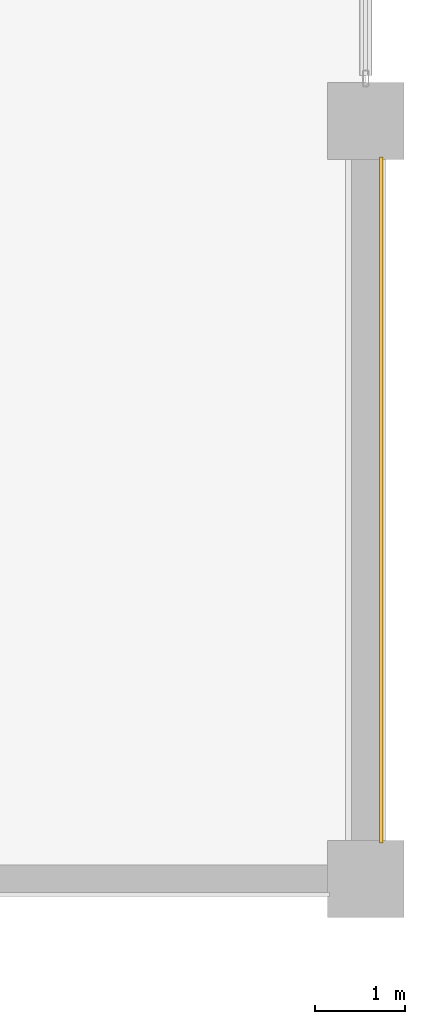
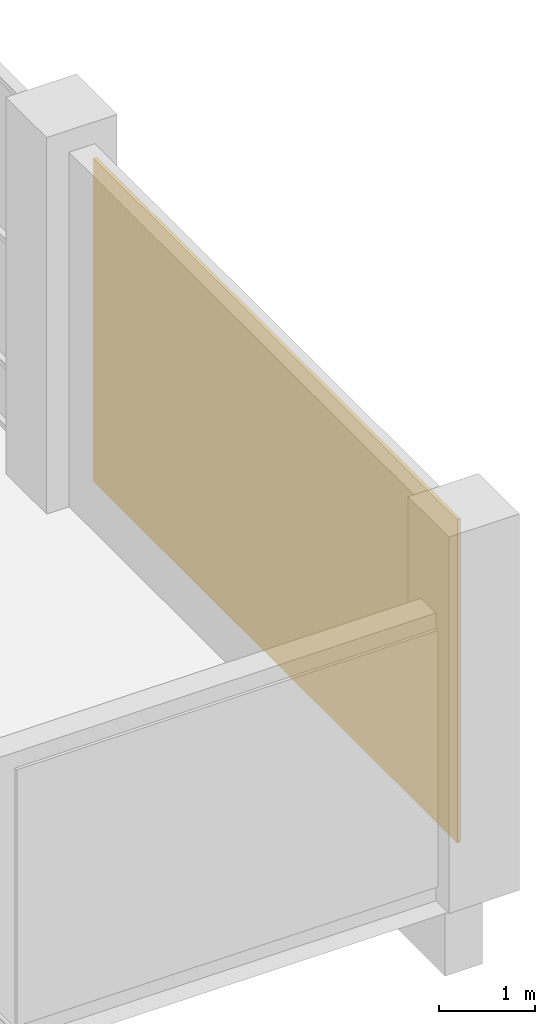
# One storey, part 96 of 97: 1 covering.
"""IFC4 building model written with IfcOpenShell, lengths in metres."""

from ifc_helpers import new_model, si_unit, direction, frame, origin, origin_2d, place, context, subcontext, project, spatial, rectangle, extrude, material, layer, layer_set, type_object, element, save


model = new_model("IFC4")

# Units and contexts
model_context = context("Model", 3, precision=1e-05, world=origin(), true_north=direction((0.0, 1.0)))
body_context = subcontext(model_context, "Body", "Model", "MODEL_VIEW")
ifc_project = project(units=[si_unit("LENGTHUNIT", "METRE"), si_unit("AREAUNIT", "SQUARE_METRE"), si_unit("VOLUMEUNIT", "CUBIC_METRE"), si_unit("PLANEANGLEUNIT", "RADIAN"), si_unit("MASSUNIT", "GRAM", prefix="KILO")], contexts=[model_context])

# Site, building, storey
site_placement = place(None, origin())
site = spatial("IfcSite", under=ifc_project, at=site_placement, CompositionType="ELEMENT")
building_placement = place(site_placement, origin())
building = spatial("IfcBuilding", under=site, at=building_placement, Name="Kisaragi Civic Commons", CompositionType="ELEMENT")
storey_placement = place(building_placement, origin())
storey = spatial("IfcBuildingStorey", under=building, at=storey_placement, Name="L00", CompositionType="ELEMENT", Elevation=0.0)

# Covering
ifc_material = material(Name="Extruded Tokoname terracotta rainscreen tile", Category="masonry")
ifc_layer = layer(ifc_material, 0.0400390625, Name="Extruded Tokoname terracotta rainscreen tile", Category="masonry")
ifc_layer_set = layer_set([ifc_layer], Name="Extruded Tokoname terracotta rainscreen tile")
covering_type = type_object("IfcCoveringType", Name="CLD-01", PredefinedType="CLADDING", material=ifc_layer_set)
covering_placement = place(storey_placement, frame((172.972900390625, 100.199951171875, 0.199951171875), z_axis=(0.0, 0.0, 1.0), x_axis=(0.0, -1.0, 0.0)))
element("IfcCovering", 1, at=covering_placement, inside=storey, type_object=covering_type, Name="V4 L00 terracotta facade cladding 6", PredefinedType="CLADDING", context=body_context, shape_type="SweptSolid", body=[
    extrude(rectangle(XDim=7.60009765625, YDim=0.0400390625, at=origin_2d()), origin(), (0.0, 0.0, 1.0), 4.1201171875),
])

save(model, "model.ifc")
